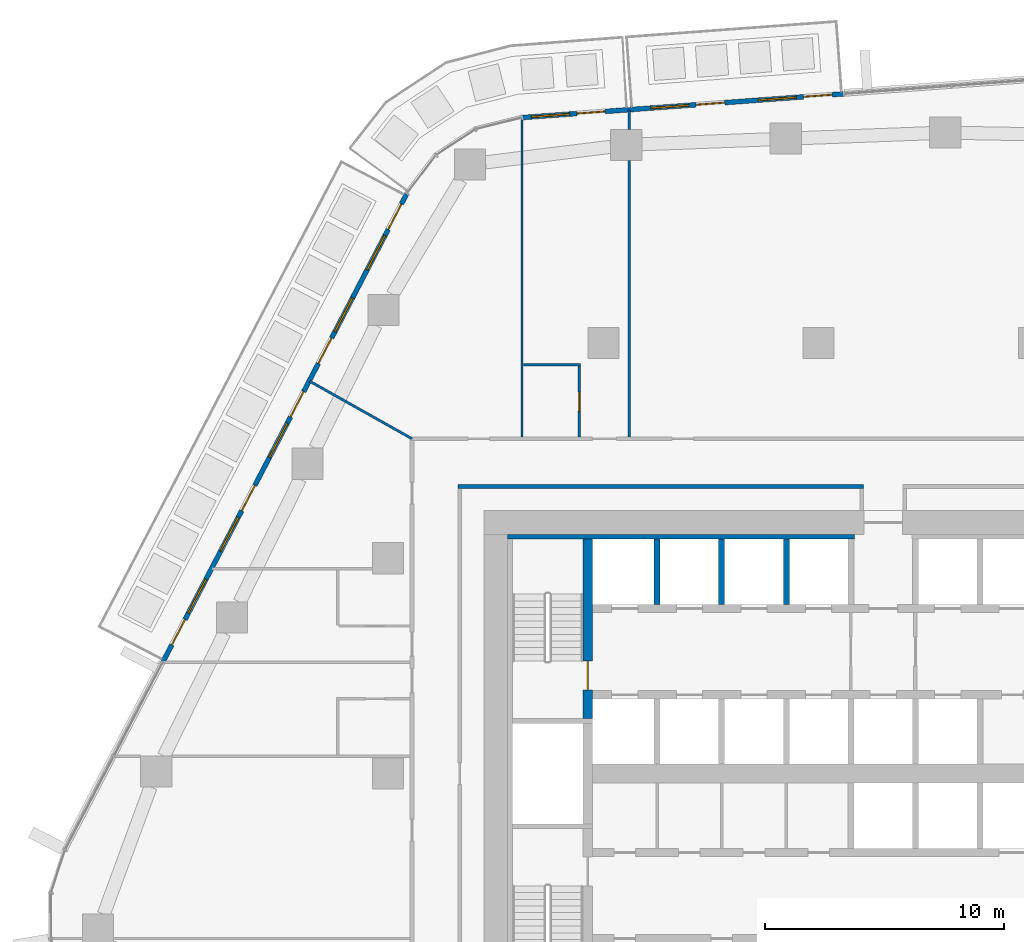
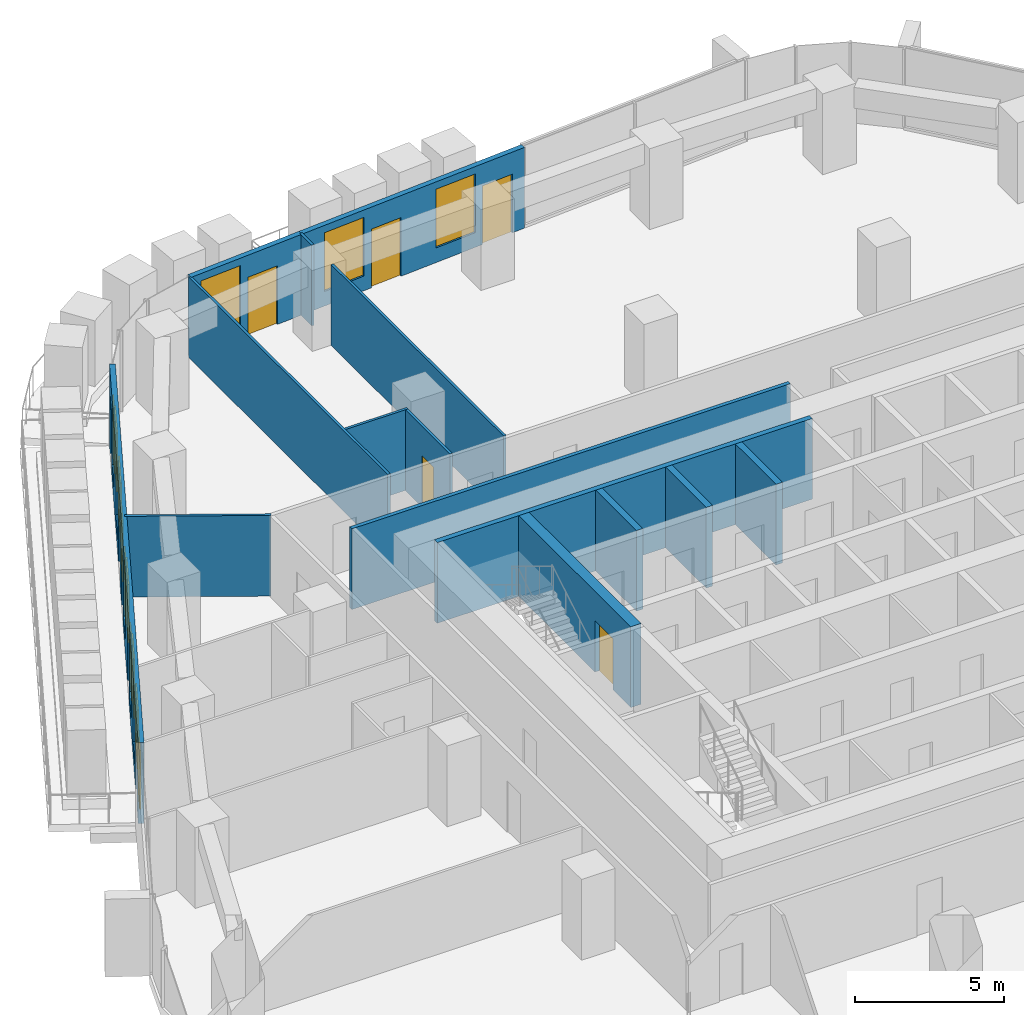
# One storey, part 15 of 23: 15 walls, 10 doors, 8 windows, 18 openings.
"""IFC4 building model written with IfcOpenShell, lengths in metres."""

import ifcopenshell
import ifcopenshell.guid

model = None  # the IFC model being written
_history = None  # IfcOwnerHistory: only IFC2X3 demands one
_inside = {}  # id of a spatial element -> (the spatial element, [elements in it])
_under = {}  # id of a project, library or spatial element -> (it, [spatial elements below it])
_declared = {}  # id of a project -> (the project, [libraries it declares])
_typed = {}  # id of a type object -> (the type object, [elements of that type])
_made_of = {}  # id of a material, layer set ... -> (it, [elements and type objects made of it])


def new_model(schema):
    """Start an empty IFC model of exactly this schema.

    Asked for "IFC4X3", IfcOpenShell would pick the latest addendum, in which some entities
    have other attributes; the version numbers below select the first issue.
    IFC2X3 requires an IfcOwnerHistory on every rooted entity: one is made here for all.
    """
    global model, _history
    if schema == "IFC4X3":
        model = ifcopenshell.file(schema_version=(4, 3, 0, 0))
    else:
        model = ifcopenshell.file(schema=schema)
    _inside.clear()
    _under.clear()
    _declared.clear()
    _typed.clear()
    _made_of.clear()
    _history = None
    if model.schema == "IFC2X3":
        org = make("IfcOrganization", Name="unknown")
        user = make(
            "IfcPersonAndOrganization",
            ThePerson=make("IfcPerson", FamilyName="unknown"),
            TheOrganization=org,
        )
        app = make(
            "IfcApplication",
            ApplicationDeveloper=org,
            Version="unknown",
            ApplicationFullName="unknown",
            ApplicationIdentifier="unknown",
        )
        _history = make(
            "IfcOwnerHistory",
            OwningUser=user,
            OwningApplication=app,
            ChangeAction="ADDED",
            CreationDate=0,
        )
    return model


def make(cls, **values):
    """One entity of the class cls with the attributes given. An attribute that is None is left unset."""
    return model.create_entity(
        cls, **{name: value for name, value in values.items() if value is not None}
    )


def rooted(cls, **values):
    """An entity with a GlobalId (a new one), such as an element, a storey or a relation."""
    return make(cls, GlobalId=ifcopenshell.guid.new(), OwnerHistory=_history, **values)


def si_unit(unit_type, name, prefix=None):
    """IfcSIUnit, for example si_unit("LENGTHUNIT", "METRE", prefix="MILLI")."""
    return make("IfcSIUnit", UnitType=unit_type, Prefix=prefix, Name=name)


def assignment(units):
    """IfcUnitAssignment: the units of a project."""
    return None if units is None else make("IfcUnitAssignment", Units=units)


def point(xyz):
    """IfcCartesianPoint."""
    return None if xyz is None else make("IfcCartesianPoint", Coordinates=xyz)


def direction(xyz):
    """IfcDirection."""
    return None if xyz is None else make("IfcDirection", DirectionRatios=xyz)


def frame(location, z_axis=None, x_axis=None):
    """IfcAxis2Placement3D, a coordinate frame: its origin and axes. An axis left out is left unset."""
    return make(
        "IfcAxis2Placement3D",
        Location=point(location),
        Axis=direction(z_axis),
        RefDirection=direction(x_axis),
    )


def frame_2d(location, x_axis=None):
    """IfcAxis2Placement2D, a coordinate frame in the plane: its origin and x axis."""
    return make(
        "IfcAxis2Placement2D", Location=point(location), RefDirection=direction(x_axis)
    )


def origin():
    """The frame at (0, 0, 0) with its axes left unset."""
    return frame((0.0, 0.0, 0.0))


def place(relative_to, where):
    """IfcLocalPlacement: puts the frame where relative to a parent placement (None: the world)."""
    return make(
        "IfcLocalPlacement", PlacementRelTo=relative_to, RelativePlacement=where
    )


def context(
    kind, dimensions, precision=None, world=None, true_north=None, identifier=None
):
    """IfcGeometricRepresentationContext, for example the 3D "Model" context."""
    return make(
        "IfcGeometricRepresentationContext",
        ContextIdentifier=identifier,
        ContextType=kind,
        CoordinateSpaceDimension=dimensions,
        Precision=precision,
        WorldCoordinateSystem=world,
        TrueNorth=true_north,
    )


def subcontext(parent, identifier, kind, view, scale=None):
    """IfcGeometricRepresentationSubContext, for example "Body" below "Model"."""
    return make(
        "IfcGeometricRepresentationSubContext",
        ContextIdentifier=identifier,
        ContextType=kind,
        ParentContext=parent,
        TargetScale=scale,
        TargetView=view,
    )


def project(units=None, contexts=None):
    """IfcProject with its units and contexts."""
    return rooted(
        "IfcProject",
        Name="project",
        RepresentationContexts=contexts,
        UnitsInContext=assignment(units),
    )


def spatial(cls, under=None, at=None, **own):
    """A site, building, storey or space (cls), placed at a placement, below another one or the project."""
    s = rooted(cls, ObjectPlacement=at, **own)
    if under is not None:
        _under.setdefault(under.id(), (under, []))[1].append(s)
    return s


def profile(cls, at=None, kind="AREA", **sizes):
    """A parametric profile (cls). Its sizes go by their IFC names, for example OverallWidth=200.0."""
    return make(cls, ProfileType=kind, Position=at, **sizes)


def rectangle(**sizes):
    """IfcRectangleProfileDef."""
    return profile("IfcRectangleProfileDef", **sizes)


def extrude(swept, where, along, depth):
    """IfcExtrudedAreaSolid: the profile swept, set in the frame where, extruded along a direction by depth."""
    return make(
        "IfcExtrudedAreaSolid",
        SweptArea=swept,
        Position=where,
        ExtrudedDirection=direction(along),
        Depth=depth,
    )


def shape(context_of_items, identifier, shape_type, items):
    """IfcShapeRepresentation: the items that make up one representation, for example the "Body"."""
    return make(
        "IfcShapeRepresentation",
        ContextOfItems=context_of_items,
        RepresentationIdentifier=identifier,
        RepresentationType=shape_type,
        Items=items,
    )


def material(Name=None, Category=None):
    """IfcMaterial."""
    return make("IfcMaterial", Name=Name, Category=Category)


def layer(
    of_material, thickness, ventilated=None, Name=None, Category=None, Priority=None
):
    """IfcMaterialLayer: one layer of a wall or slab, of a material (None: an air gap)."""
    return make(
        "IfcMaterialLayer",
        Material=of_material,
        LayerThickness=thickness,
        IsVentilated=ventilated,
        Name=Name,
        Category=Category,
        Priority=Priority,
    )


def layer_set(layers, Name=None):
    """IfcMaterialLayerSet."""
    return make("IfcMaterialLayerSet", MaterialLayers=layers, LayerSetName=Name)


def made_of(thing, what):
    """Note that an element or type object is made of a material, layer set ...; save() writes the relation."""
    if what is not None:
        _made_of.setdefault(what.id(), (what, []))[1].append(thing)
    return thing


def type_object(cls, material=None, **own):
    """A type object (cls), such as IfcWallType, which elements share."""
    return made_of(rooted(cls, **own), material)


def element(
    cls,
    number,
    at=None,
    inside=None,
    cuts=None,
    type_object=None,
    material=None,
    context=None,
    identifier="Body",
    shape_type=None,
    held_by="IfcProductDefinitionShape",
    body=None,
    shapes=None,
    **own,
):
    """One element of the class cls, such as IfcWall. Its Tag is "e" and its number.

    at: its placement. inside: the storey or other place that contains it. cuts: it is an
    opening in that element (IfcRelVoidsElement). A single representation is given by context,
    identifier, shape_type and body (its items); several are given by shapes. held_by: the class
    of the entity that holds the representations. save() writes the other relations.
    """
    e = rooted(cls, Tag="e%d" % number, ObjectPlacement=at, **own)
    if body is not None:
        shapes = [shape(context, identifier, shape_type, body)]
    if shapes is not None:
        e.Representation = make(held_by, Representations=shapes)
    if inside is not None:
        _inside.setdefault(inside.id(), (inside, []))[1].append(e)
    if cuts is not None:
        rooted(
            "IfcRelVoidsElement", RelatingBuildingElement=cuts, RelatedOpeningElement=e
        )
    if type_object is not None:
        _typed.setdefault(type_object.id(), (type_object, []))[1].append(e)
    return made_of(e, material)


def fill(opening, filler):
    """IfcRelFillsElement: the door or window that sits in an opening."""
    return rooted(
        "IfcRelFillsElement",
        RelatingOpeningElement=opening,
        RelatedBuildingElement=filler,
    )


def aggregate(whole, parts):
    """IfcRelAggregates: a whole, such as a stair, and the parts it consists of."""
    return rooted("IfcRelAggregates", RelatingObject=whole, RelatedObjects=parts)


def save(model, path):
    """Write the relations noted so far, then the file.

    IfcRelAggregates (storeys below a building ...), IfcRelContainedInSpatialStructure (elements
    in a storey), IfcRelDefinesByType, IfcRelAssociatesMaterial and IfcRelDeclares: one each for
    every whole, place, type object, material and project.
    """
    for whole, parts in _under.values():
        aggregate(whole, parts)
    for where, things in _inside.values():
        rooted(
            "IfcRelContainedInSpatialStructure",
            RelatedElements=things,
            RelatingStructure=where,
        )
    for kind, things in _typed.values():
        rooted("IfcRelDefinesByType", RelatedObjects=things, RelatingType=kind)
    for what, things in _made_of.values():
        rooted("IfcRelAssociatesMaterial", RelatedObjects=things, RelatingMaterial=what)
    for by, libraries in _declared.values():
        rooted("IfcRelDeclares", RelatingContext=by, RelatedDefinitions=libraries)
    model.write(path)


model = new_model("IFC4")

# Units and contexts
model_context = context("Model", 3, precision=1e-05, world=origin(), true_north=direction((0.0, 1.0)))
body_context = subcontext(model_context, "Body", "Model", "MODEL_VIEW")
ifc_project = project(units=[si_unit("LENGTHUNIT", "METRE"), si_unit("AREAUNIT", "SQUARE_METRE"), si_unit("VOLUMEUNIT", "CUBIC_METRE"), si_unit("PLANEANGLEUNIT", "RADIAN"), si_unit("MASSUNIT", "GRAM", prefix="KILO")], contexts=[model_context])

# Site, building, storey
site_placement = place(None, origin())
site = spatial("IfcSite", under=ifc_project, at=site_placement, CompositionType="ELEMENT")
building_placement = place(site_placement, origin())
building = spatial("IfcBuilding", under=site, at=building_placement, Name="Dongbaek Canopy Tower", CompositionType="ELEMENT")
storey_placement = place(building_placement, frame((0.0, 0.0, 132.199951171875)))
storey = spatial("IfcBuildingStorey", under=building, at=storey_placement, Name="L29", CompositionType="ELEMENT", Elevation=132.199951171875)

# Walls
ifc_material_1 = material(Name="Concrete C60/75", Category="concrete")
ifc_layer_1 = layer(ifc_material_1, 0.199951171875)
ifc_layer_set_1 = layer_set([ifc_layer_1], Name="Core wall lining 200 Concrete C60/75")
wall_type_1 = type_object("IfcWallType", Name="Core wall lining 200 Concrete C60/75", PredefinedType="SHEAR", material=ifc_layer_set_1)
wall_1_placement = place(storey_placement, frame((-13.0, 9.89990234375, 0.0), z_axis=(0.0, 0.0, 1.0), x_axis=(1.0, 0.0, 0.0)))
element("IfcWall", 1, at=wall_1_placement, inside=storey, type_object=wall_type_1, Name="Core wall lining", PredefinedType="SHEAR", context=body_context, shape_type="SweptSolid", body=[
    extrude(rectangle(XDim=14.5, YDim=0.199951171875, at=frame_2d((7.25, 0.0))), origin(), (0.0, 0.0, 1.0), 3.300048828125),
])
ifc_material_2 = material(Name="Gypsum board partition, steel stud, 2 x 15 mm fire board", Category="steel")
ifc_layer_2 = layer(ifc_material_2, 0.14990234375)
ifc_layer_set_2 = layer_set([ifc_layer_2], Name="Fire-rated partition 150 gypsum board")
wall_type_2 = type_object("IfcWallType", Name="Fire-rated partition 150 gypsum board", PredefinedType="PARTITIONING", material=ifc_layer_set_2)
wall_2_placement = place(storey_placement, frame((-15.074951171875, 12.0, 0.0), z_axis=(0.0, 0.0, 1.0), x_axis=(1.0, 0.0, 0.0)))
element("IfcWall", 2, at=wall_2_placement, inside=storey, type_object=wall_type_2, Name="Corridor partition", PredefinedType="PARTITIONING", context=body_context, shape_type="SweptSolid", body=[
    extrude(rectangle(XDim=16.949951171875, YDim=0.14990234375, at=frame_2d((8.47509765625, 0.0))), origin(), (0.0, 0.0, 1.0), 3.300048828125),
])
ifc_material_3 = material(Name="Concrete C40/50", Category="concrete")
ifc_layer_3 = layer(ifc_material_3, 0.25)
ifc_layer_set_3 = layer_set([ifc_layer_3], Name="Lift shaft wall 250 Concrete C40/50")
wall_type_3 = type_object("IfcWallType", Name="Lift shaft wall 250 Concrete C40/50", PredefinedType="SOLIDWALL", material=ifc_layer_set_3)
for number, where, z_axis, x_axis, name in (
    (3, (-1.35009765625, 7.074951171875, 0.0), (0.0, 0.0, 1.0), (0.0, 1.0, 0.0), "Lift shaft wall"),
    (4, (-4.050048828125, 7.074951171875, 0.0), (0.0, 0.0, 1.0), (0.0, 1.0, 0.0), "Lift shaft wall"),
    (5, (-6.75, 7.074951171875, 0.0), (0.0, 0.0, 1.0), (0.0, 1.0, 0.0), "Lift shaft wall"),
):
    element("IfcWall", number, at=place(storey_placement, frame(where, z_axis=z_axis, x_axis=x_axis)), inside=storey, type_object=wall_type_3, Name=name, PredefinedType="SOLIDWALL", context=body_context, shape_type="SweptSolid", body=[
        extrude(rectangle(XDim=2.72509765625, YDim=0.25, at=frame_2d((1.362548828125, 0.0))), origin(), (0.0, 0.0, 1.0), 3.300048828125),
    ])
ifc_material_4 = material(Name="Gypsum board partition, steel stud, 2 x 12.5 mm board", Category="steel")
ifc_layer_4 = layer(ifc_material_4, 0.10009765625)
ifc_layer_set_4 = layer_set([ifc_layer_4], Name="Partition 100 gypsum board")
wall_type_4 = type_object("IfcWallType", Name="Partition 100 gypsum board", PredefinedType="PARTITIONING", material=ifc_layer_set_4)
wall_3_placement = place(storey_placement, frame((-12.3486328125, 17.10009765625, 0.0), z_axis=(0.0, 0.0, 1.0), x_axis=(1.0, 0.0, 0.0)))
element("IfcWall", 6, at=wall_3_placement, inside=storey, type_object=wall_type_4, Name="Partition", PredefinedType="PARTITIONING", context=body_context, shape_type="SweptSolid", body=[
    extrude(rectangle(XDim=2.400146484375, YDim=0.10009765625, at=frame_2d((1.2001953125, 0.0))), origin(), (0.0, 0.0, 1.0), 3.300048828125),
])
wall_4_placement = place(storey_placement, frame((-7.916015625, 14.074951171875, 0.0), z_axis=(0.0, 0.0, 1.0), x_axis=(0.0, 1.0, 0.0)))
element("IfcWall", 7, at=wall_4_placement, inside=storey, type_object=wall_type_4, Name="Partition", PredefinedType="PARTITIONING", context=body_context, shape_type="SweptSolid", body=[
    extrude(rectangle(XDim=11.56298828125, YDim=0.10009765625, at=frame_2d((5.781494140625, 0.0))), origin(), (0.0, 0.0, 1.0), 3.300048828125),
])
wall_5_placement = place(storey_placement, frame((-7.916015625, 26.93798828125, 0.0), z_axis=(0.0, 0.0, 1.0), x_axis=(0.0, 1.0, 0.0)))
element("IfcWall", 8, at=wall_5_placement, inside=storey, type_object=wall_type_4, Name="Partition", PredefinedType="PARTITIONING", context=body_context, shape_type="SweptSolid", body=[
    extrude(rectangle(XDim=0.799072265625, YDim=0.10009765625, at=frame_2d((0.3994140625, 0.0))), origin(), (0.0, 0.0, 1.0), 3.300048828125),
])

# Wall, opening, door
wall_6_placement = place(storey_placement, frame((-9.9990234375, 14.074951171875, 0.0), z_axis=(0.0, 0.0, 1.0), x_axis=(0.0, 1.0, 0.0)))
wall_6 = element("IfcWall", 9, at=wall_6_placement, inside=storey, type_object=wall_type_4, Name="Partition", PredefinedType="PARTITIONING", context=body_context, shape_type="SweptSolid", body=[
    extrude(rectangle(XDim=2.97509765625, YDim=0.10009765625, at=frame_2d((1.487548828125, 0.0))), origin(), (0.0, 0.0, 1.0), 3.300048828125),
])
opening_1_placement = place(wall_6_placement, frame((1.074951171875, 0.0, 0.0)))
opening_1 = element("IfcOpeningElement", 10, at=opening_1_placement, cuts=wall_6, Name="Opening L29-D015", PredefinedType="OPENING", context=body_context, shape_type="SweptSolid", body=[
    extrude(rectangle(XDim=0.800048828125, YDim=2.10009765625, at=frame_2d((0.39990234375, 1.050048828125))), frame((0.0, 0.06005859375, 0.0), z_axis=(0.0, -1.0, 0.0), x_axis=(1.0, 0.0, 0.0)), (0.0, 0.0, 1.0), 0.1201171875),
])
ifc_material_5 = material(Name="Timber veneered door leaf", Category="wood")
door_type_1 = type_object("IfcDoorType", Name="En-suite door 800 x 2100", OperationType="SINGLE_SWING_LEFT", PredefinedType="DOOR", material=ifc_material_5)
door_1_placement = place(opening_1_placement, origin())
door_1 = element("IfcDoor", 11, at=door_1_placement, inside=storey, type_object=door_type_1, Name="Door L29-D015", OperationType="SINGLE_SWING_RIGHT", OverallHeight=2.10009765625, OverallWidth=0.800048828125, PredefinedType="DOOR", context=body_context, shape_type="SweptSolid", body=[
    extrude(rectangle(XDim=0.800048828125, YDim=2.10009765625, at=frame_2d((0.39990234375, 1.050048828125))), frame((0.0, 0.02490234375, 0.0), z_axis=(0.0, -1.0, 0.0), x_axis=(1.0, 0.0, 0.0)), (0.0, 0.0, 1.0), 0.050048828125),
])
fill(opening_1, door_1)

# Walls
wall_7_placement = place(storey_placement, frame((-12.39892578125, 14.074951171875, 0.0), z_axis=(0.0, 0.0, 1.0), x_axis=(0.0, 1.0, 0.0)))
element("IfcWall", 12, at=wall_7_placement, inside=storey, type_object=wall_type_4, Name="Partition", PredefinedType="PARTITIONING", context=body_context, shape_type="SweptSolid", body=[
    extrude(rectangle(XDim=13.3310546875, YDim=0.10009765625, at=frame_2d((6.66552734375, 0.0))), origin(), (0.0, 0.0, 1.0), 3.300048828125),
])
wall_8_placement = place(storey_placement, frame((-21.278564453125, 16.404541015625, 0.0), z_axis=(0.0, 0.0, 1.0), x_axis=(0.871729599924, -0.489987249443, 0.0)))
element("IfcWall", 13, at=wall_8_placement, inside=storey, type_object=wall_type_4, Name="Partition", PredefinedType="PARTITIONING", context=body_context, shape_type="SweptSolid", body=[
    extrude(rectangle(XDim=4.907958984375, YDim=0.10009765625, at=frame_2d((2.4541015625, 0.0))), origin(), (0.0, 0.0, 1.0), 3.300048828125),
])

# Wall, opening, door
ifc_material_6 = material(Name="Concrete C60/75", Category="concrete")
ifc_layer_5 = layer(ifc_material_6, 0.39990234375)
ifc_layer_set_5 = layer_set([ifc_layer_5], Name="Stair wall 400 Concrete C60/75")
wall_type_5 = type_object("IfcWallType", Name="Stair wall 400 Concrete C60/75", PredefinedType="SHEAR", material=ifc_layer_set_5)
wall_9_placement = place(storey_placement, frame((-9.64990234375, 2.300048828125, 0.0), z_axis=(0.0, 0.0, 1.0), x_axis=(0.0, 1.0, 0.0)))
wall_9 = element("IfcWall", 14, at=wall_9_placement, inside=storey, type_object=wall_type_5, Name="Stair wall", PredefinedType="SHEAR", context=body_context, shape_type="SweptSolid", body=[
    extrude(rectangle(XDim=7.5, YDim=0.39990234375, at=frame_2d((3.75, 0.0))), origin(), (0.0, 0.0, 1.0), 3.300048828125),
])
opening_2_placement = place(wall_9_placement, frame((1.199951171875, 0.0, 0.0)))
opening_2 = element("IfcOpeningElement", 15, at=opening_2_placement, cuts=wall_9, Name="Opening L29-D052", PredefinedType="OPENING", context=body_context, shape_type="SweptSolid", body=[
    extrude(rectangle(XDim=1.199951171875, YDim=2.10009765625, at=frame_2d((0.60009765625, 1.050048828125))), frame((0.0, 0.2099609375, 0.0), z_axis=(0.0, -1.0, 0.0), x_axis=(1.0, 0.0, 0.0)), (0.0, 0.0, 1.0), 0.419921875),
])
ifc_material_7 = material(Name="Steel", Category="steel")
door_type_2 = type_object("IfcDoorType", Name="Stair door 1200 x 2100", OperationType="SINGLE_SWING_LEFT", PredefinedType="DOOR", material=ifc_material_7)
door_2_placement = place(opening_2_placement, origin())
door_2 = element("IfcDoor", 16, at=door_2_placement, inside=storey, type_object=door_type_2, Name="Stair C door", OperationType="SINGLE_SWING_RIGHT", OverallHeight=2.10009765625, OverallWidth=1.199951171875, PredefinedType="DOOR", context=body_context, shape_type="SweptSolid", body=[
    extrude(rectangle(XDim=1.199951171875, YDim=2.10009765625, at=frame_2d((0.60009765625, 1.050048828125))), frame((0.0, 0.02490234375, 0.0), z_axis=(0.0, -1.0, 0.0), x_axis=(1.0, 0.0, 0.0)), (0.0, 0.0, 1.0), 0.050048828125),
])
fill(opening_2, door_2)

# Wall, openings, doors, windows
ifc_material_8 = material(Name="Aluminium window wall", Category="aluminium")
ifc_layer_6 = layer(ifc_material_8, 0.199951171875)
ifc_layer_set_6 = layer_set([ifc_layer_6], Name="Window wall 200")
wall_type_6 = type_object("IfcWallType", Name="Window wall 200", PredefinedType="SOLIDWALL", material=ifc_layer_set_6)
wall_10_placement = place(storey_placement, frame((1.064697265625, 28.419189453125, 0.0), z_axis=(0.0, 0.0, 1.0), x_axis=(-0.997293582655, -0.07352217349, 0.0)))
wall_10 = element("IfcWall", 17, at=wall_10_placement, inside=storey, type_object=wall_type_6, Name="Window wall L29 1", PredefinedType="SOLIDWALL", context=body_context, shape_type="SweptSolid", body=[
    extrude(rectangle(XDim=9.005615234375, YDim=0.199951171875, at=frame_2d((4.5029296875, 0.0))), origin(), (0.0, 0.0, 1.0), 3.300048828125),
])
opening_3_placement = place(wall_10_placement, frame((2.0, 0.0, 0.60009765625)))
opening_3 = element("IfcOpeningElement", 18, at=opening_3_placement, cuts=wall_10, Name="Opening W1", PredefinedType="OPENING", context=body_context, shape_type="SweptSolid", body=[
    extrude(rectangle(XDim=1.60009765625, YDim=2.39990234375, at=frame_2d((0.800048828125, 1.199951171875))), frame((0.0, 0.10986328125, 0.0), z_axis=(0.0, -1.0, 0.0), x_axis=(1.0, 0.0, 0.0)), (0.0, 0.0, 1.0), 0.219970703125),
])
opening_4_placement = place(wall_10_placement, frame((0.5, 0.0, 0.0)))
opening_4 = element("IfcOpeningElement", 19, at=opening_4_placement, cuts=wall_10, Name="Opening L29-B01", PredefinedType="OPENING", context=body_context, shape_type="SweptSolid", body=[
    extrude(rectangle(XDim=1.199951171875, YDim=2.39990234375, at=frame_2d((0.60009765625, 1.199951171875))), frame((0.0, 0.10986328125, 0.0), z_axis=(0.0, -1.0, 0.0), x_axis=(1.0, 0.0, 0.0)), (0.0, 0.0, 1.0), 0.219970703125),
])
opening_5_placement = place(wall_10_placement, frame((6.5029296875, 0.0, 0.60009765625)))
opening_5 = element("IfcOpeningElement", 20, at=opening_5_placement, cuts=wall_10, Name="Opening W1", PredefinedType="OPENING", context=body_context, shape_type="SweptSolid", body=[
    extrude(rectangle(XDim=1.60009765625, YDim=2.39990234375, at=frame_2d((0.800048828125, 1.199951171875))), frame((0.0, 0.10986328125, 0.0), z_axis=(0.0, -1.0, 0.0), x_axis=(1.0, 0.0, 0.0)), (0.0, 0.0, 1.0), 0.219970703125),
])
opening_6_placement = place(wall_10_placement, frame((5.0029296875, 0.0, 0.0)))
opening_6 = element("IfcOpeningElement", 21, at=opening_6_placement, cuts=wall_10, Name="Opening L29-B02", PredefinedType="OPENING", context=body_context, shape_type="SweptSolid", body=[
    extrude(rectangle(XDim=1.199951171875, YDim=2.39990234375, at=frame_2d((0.60009765625, 1.199951171875))), frame((0.0, 0.10986328125, 0.0), z_axis=(0.0, -1.0, 0.0), x_axis=(1.0, 0.0, 0.0)), (0.0, 0.0, 1.0), 0.219970703125),
])
ifc_material_9 = material(Name="Clear glazing in aluminium frame", Category="aluminium")
door_type_3 = type_object("IfcDoorType", Name="Balcony door BD1 1200 x 2400", OperationType="SLIDING_TO_LEFT", PredefinedType="DOOR", material=ifc_material_9)
door_3_placement = place(opening_4_placement, origin())
door_3 = element("IfcDoor", 22, at=door_3_placement, inside=storey, type_object=door_type_3, Name="Balcony door L29-B01", OperationType="SLIDING_TO_LEFT", OverallHeight=2.39990234375, OverallWidth=1.199951171875, PredefinedType="DOOR", context=body_context, shape_type="SweptSolid", body=[
    extrude(rectangle(XDim=1.199951171875, YDim=2.39990234375, at=frame_2d((0.60009765625, 1.199951171875))), frame((0.0, 0.02490234375, 0.0), z_axis=(0.0, -1.0, 0.0), x_axis=(1.0, 0.0, 0.0)), (0.0, 0.0, 1.0), 0.050048828125),
])
fill(opening_4, door_3)
door_4_placement = place(opening_6_placement, origin())
door_4 = element("IfcDoor", 23, at=door_4_placement, inside=storey, type_object=door_type_3, Name="Balcony door L29-B02", OperationType="SLIDING_TO_LEFT", OverallHeight=2.39990234375, OverallWidth=1.199951171875, PredefinedType="DOOR", context=body_context, shape_type="SweptSolid", body=[
    extrude(rectangle(XDim=1.199951171875, YDim=2.39990234375, at=frame_2d((0.60009765625, 1.199951171875))), frame((0.0, 0.02490234375, 0.0), z_axis=(0.0, -1.0, 0.0), x_axis=(1.0, 0.0, 0.0)), (0.0, 0.0, 1.0), 0.050048828125),
])
fill(opening_6, door_4)
ifc_material_10 = material(Name="Clear glazing in aluminium frame", Category="aluminium")
window_type = type_object("IfcWindowType", Name="Window W1 1600 x 2400", PartitioningType="SINGLE_PANEL", PredefinedType="WINDOW", material=ifc_material_10)
window_1_placement = place(opening_3_placement, origin())
window_1 = element("IfcWindow", 24, at=window_1_placement, inside=storey, type_object=window_type, Name="Window L29 1.1", OverallHeight=2.39990234375, OverallWidth=1.60009765625, PartitioningType="SINGLE_PANEL", PredefinedType="WINDOW", context=body_context, shape_type="SweptSolid", body=[
    extrude(rectangle(XDim=1.60009765625, YDim=2.39990234375, at=frame_2d((0.800048828125, 1.199951171875))), frame((0.0, 0.030029296875, 0.0), z_axis=(0.0, -1.0, 0.0), x_axis=(1.0, 0.0, 0.0)), (0.0, 0.0, 1.0), 0.06005859375),
])
fill(opening_3, window_1)
window_2_placement = place(opening_5_placement, origin())
window_2 = element("IfcWindow", 25, at=window_2_placement, inside=storey, type_object=window_type, Name="Window L29 1.2", OverallHeight=2.39990234375, OverallWidth=1.60009765625, PartitioningType="SINGLE_PANEL", PredefinedType="WINDOW", context=body_context, shape_type="SweptSolid", body=[
    extrude(rectangle(XDim=1.60009765625, YDim=2.39990234375, at=frame_2d((0.800048828125, 1.199951171875))), frame((0.0, 0.030029296875, 0.0), z_axis=(0.0, -1.0, 0.0), x_axis=(1.0, 0.0, 0.0)), (0.0, 0.0, 1.0), 0.06005859375),
])
fill(opening_5, window_2)

# Wall, openings, door, window
wall_11_placement = place(storey_placement, frame((-7.91650390625, 27.757080078125, 0.0), z_axis=(0.0, 0.0, 1.0), x_axis=(-0.997291417846, -0.073551532206, 0.0)))
wall_11 = element("IfcWall", 26, at=wall_11_placement, inside=storey, type_object=wall_type_6, Name="Window wall L29 6", PredefinedType="SOLIDWALL", context=body_context, shape_type="SweptSolid", body=[
    extrude(rectangle(XDim=4.494384765625, YDim=0.199951171875, at=frame_2d((2.2470703125, 0.0))), origin(), (0.0, 0.0, 1.0), 3.300048828125),
])
opening_7_placement = place(wall_11_placement, frame((2.5, 0.0, 0.60009765625)))
opening_7 = element("IfcOpeningElement", 27, at=opening_7_placement, cuts=wall_11, Name="Opening W1", PredefinedType="OPENING", context=body_context, shape_type="SweptSolid", body=[
    extrude(rectangle(XDim=1.60009765625, YDim=2.39990234375, at=frame_2d((0.800048828125, 1.199951171875))), frame((0.0, 0.10986328125, 0.0), z_axis=(0.0, -1.0, 0.0), x_axis=(1.0, 0.0, 0.0)), (0.0, 0.0, 1.0), 0.219970703125),
])
opening_8_placement = place(wall_11_placement, frame((1.0, 0.0, 0.0)))
opening_8 = element("IfcOpeningElement", 28, at=opening_8_placement, cuts=wall_11, Name="Opening L29-B03", PredefinedType="OPENING", context=body_context, shape_type="SweptSolid", body=[
    extrude(rectangle(XDim=1.199951171875, YDim=2.39990234375, at=frame_2d((0.60009765625, 1.199951171875))), frame((0.0, 0.10986328125, 0.0), z_axis=(0.0, -1.0, 0.0), x_axis=(1.0, 0.0, 0.0)), (0.0, 0.0, 1.0), 0.219970703125),
])
door_5_placement = place(opening_8_placement, origin())
door_5 = element("IfcDoor", 29, at=door_5_placement, inside=storey, type_object=door_type_3, Name="Balcony door L29-B03", OperationType="SLIDING_TO_LEFT", OverallHeight=2.39990234375, OverallWidth=1.199951171875, PredefinedType="DOOR", context=body_context, shape_type="SweptSolid", body=[
    extrude(rectangle(XDim=1.199951171875, YDim=2.39990234375, at=frame_2d((0.60009765625, 1.199951171875))), frame((0.0, 0.02490234375, 0.0), z_axis=(0.0, -1.0, 0.0), x_axis=(1.0, 0.0, 0.0)), (0.0, 0.0, 1.0), 0.050048828125),
])
fill(opening_8, door_5)
window_3_placement = place(opening_7_placement, origin())
window_3 = element("IfcWindow", 30, at=window_3_placement, inside=storey, type_object=window_type, Name="Window L29 6.1", OverallHeight=2.39990234375, OverallWidth=1.60009765625, PartitioningType="SINGLE_PANEL", PredefinedType="WINDOW", context=body_context, shape_type="SweptSolid", body=[
    extrude(rectangle(XDim=1.60009765625, YDim=2.39990234375, at=frame_2d((0.800048828125, 1.199951171875))), frame((0.0, 0.030029296875, 0.0), z_axis=(0.0, -1.0, 0.0), x_axis=(1.0, 0.0, 0.0)), (0.0, 0.0, 1.0), 0.06005859375),
])
fill(opening_7, window_3)

# Wall, openings, doors, windows
wall_12_placement = place(storey_placement, frame((-17.210205078125, 24.259765625, 0.0), z_axis=(0.0, 0.0, 1.0), x_axis=(-0.461902936619, -0.886930480445, 0.0)))
wall_12 = element("IfcWall", 31, at=wall_12_placement, inside=storey, type_object=wall_type_6, Name="Window wall L29 2", PredefinedType="SOLIDWALL", context=body_context, shape_type="SweptSolid", body=[
    extrude(rectangle(XDim=22.113037109375, YDim=0.199951171875, at=frame_2d((11.056640625, 0.0))), origin(), (0.0, 0.0, 1.0), 3.300048828125),
])
opening_9_placement = place(wall_12_placement, frame((2.0, 0.0, 0.60009765625)))
opening_9 = element("IfcOpeningElement", 32, at=opening_9_placement, cuts=wall_12, Name="Opening W1", PredefinedType="OPENING", context=body_context, shape_type="SweptSolid", body=[
    extrude(rectangle(XDim=1.60009765625, YDim=2.39990234375, at=frame_2d((0.800048828125, 1.199951171875))), frame((0.0, 0.10986328125, 0.0), z_axis=(0.0, -1.0, 0.0), x_axis=(1.0, 0.0, 0.0)), (0.0, 0.0, 1.0), 0.219970703125),
])
opening_10_placement = place(wall_12_placement, frame((0.5, 0.0, 0.0)))
opening_10 = element("IfcOpeningElement", 33, at=opening_10_placement, cuts=wall_12, Name="Opening L29-B04", PredefinedType="OPENING", context=body_context, shape_type="SweptSolid", body=[
    extrude(rectangle(XDim=1.199951171875, YDim=2.39990234375, at=frame_2d((0.60009765625, 1.199951171875))), frame((0.0, 0.10986328125, 0.0), z_axis=(0.0, -1.0, 0.0), x_axis=(1.0, 0.0, 0.0)), (0.0, 0.0, 1.0), 0.219970703125),
])
opening_11_placement = place(wall_12_placement, frame((4.922607421875, 0.0, 0.60009765625)))
opening_11 = element("IfcOpeningElement", 34, at=opening_11_placement, cuts=wall_12, Name="Opening W1", PredefinedType="OPENING", context=body_context, shape_type="SweptSolid", body=[
    extrude(rectangle(XDim=1.60009765625, YDim=2.39990234375, at=frame_2d((0.800048828125, 1.199951171875))), frame((0.0, 0.10986328125, 0.0), z_axis=(0.0, -1.0, 0.0), x_axis=(1.0, 0.0, 0.0)), (0.0, 0.0, 1.0), 0.219970703125),
])
opening_12_placement = place(wall_12_placement, frame((6.822509765625, 0.0, 0.0)))
opening_12 = element("IfcOpeningElement", 35, at=opening_12_placement, cuts=wall_12, Name="Opening L29-B05", PredefinedType="OPENING", context=body_context, shape_type="SweptSolid", body=[
    extrude(rectangle(XDim=1.199951171875, YDim=2.39990234375, at=frame_2d((0.60009765625, 1.199951171875))), frame((0.0, 0.10986328125, 0.0), z_axis=(0.0, -1.0, 0.0), x_axis=(1.0, 0.0, 0.0)), (0.0, 0.0, 1.0), 0.219970703125),
])
opening_13_placement = place(wall_12_placement, frame((10.84521484375, 0.0, 0.60009765625)))
opening_13 = element("IfcOpeningElement", 36, at=opening_13_placement, cuts=wall_12, Name="Opening W1", PredefinedType="OPENING", context=body_context, shape_type="SweptSolid", body=[
    extrude(rectangle(XDim=1.60009765625, YDim=2.39990234375, at=frame_2d((0.800048828125, 1.199951171875))), frame((0.0, 0.10986328125, 0.0), z_axis=(0.0, -1.0, 0.0), x_axis=(1.0, 0.0, 0.0)), (0.0, 0.0, 1.0), 0.219970703125),
])
opening_14_placement = place(wall_12_placement, frame((9.34521484375, 0.0, 0.0)))
opening_14 = element("IfcOpeningElement", 37, at=opening_14_placement, cuts=wall_12, Name="Opening L29-B06", PredefinedType="OPENING", context=body_context, shape_type="SweptSolid", body=[
    extrude(rectangle(XDim=1.199951171875, YDim=2.39990234375, at=frame_2d((0.60009765625, 1.199951171875))), frame((0.0, 0.10986328125, 0.0), z_axis=(0.0, -1.0, 0.0), x_axis=(1.0, 0.0, 0.0)), (0.0, 0.0, 1.0), 0.219970703125),
])
opening_15_placement = place(wall_12_placement, frame((15.267822265625, 0.0, 0.60009765625)))
opening_15 = element("IfcOpeningElement", 38, at=opening_15_placement, cuts=wall_12, Name="Opening W1", PredefinedType="OPENING", context=body_context, shape_type="SweptSolid", body=[
    extrude(rectangle(XDim=1.60009765625, YDim=2.39990234375, at=frame_2d((0.800048828125, 1.199951171875))), frame((0.0, 0.10986328125, 0.0), z_axis=(0.0, -1.0, 0.0), x_axis=(1.0, 0.0, 0.0)), (0.0, 0.0, 1.0), 0.219970703125),
])
opening_16_placement = place(wall_12_placement, frame((13.767822265625, 0.0, 0.0)))
opening_16 = element("IfcOpeningElement", 39, at=opening_16_placement, cuts=wall_12, Name="Opening L29-B07", PredefinedType="OPENING", context=body_context, shape_type="SweptSolid", body=[
    extrude(rectangle(XDim=1.199951171875, YDim=2.39990234375, at=frame_2d((0.60009765625, 1.199951171875))), frame((0.0, 0.10986328125, 0.0), z_axis=(0.0, -1.0, 0.0), x_axis=(1.0, 0.0, 0.0)), (0.0, 0.0, 1.0), 0.219970703125),
])
opening_17_placement = place(wall_12_placement, frame((18.1904296875, 0.0, 0.60009765625)))
opening_17 = element("IfcOpeningElement", 40, at=opening_17_placement, cuts=wall_12, Name="Opening W1", PredefinedType="OPENING", context=body_context, shape_type="SweptSolid", body=[
    extrude(rectangle(XDim=1.60009765625, YDim=2.39990234375, at=frame_2d((0.800048828125, 1.199951171875))), frame((0.0, 0.10986328125, 0.0), z_axis=(0.0, -1.0, 0.0), x_axis=(1.0, 0.0, 0.0)), (0.0, 0.0, 1.0), 0.219970703125),
])
opening_18_placement = place(wall_12_placement, frame((20.09033203125, 0.0, 0.0)))
opening_18 = element("IfcOpeningElement", 41, at=opening_18_placement, cuts=wall_12, Name="Opening L29-B08", PredefinedType="OPENING", context=body_context, shape_type="SweptSolid", body=[
    extrude(rectangle(XDim=1.199951171875, YDim=2.39990234375, at=frame_2d((0.60009765625, 1.199951171875))), frame((0.0, 0.10986328125, 0.0), z_axis=(0.0, -1.0, 0.0), x_axis=(1.0, 0.0, 0.0)), (0.0, 0.0, 1.0), 0.219970703125),
])
door_6_placement = place(opening_10_placement, origin())
door_6 = element("IfcDoor", 42, at=door_6_placement, inside=storey, type_object=door_type_3, Name="Balcony door L29-B04", OperationType="SLIDING_TO_LEFT", OverallHeight=2.39990234375, OverallWidth=1.199951171875, PredefinedType="DOOR", context=body_context, shape_type="SweptSolid", body=[
    extrude(rectangle(XDim=1.199951171875, YDim=2.39990234375, at=frame_2d((0.60009765625, 1.199951171875))), frame((0.0, 0.02490234375, 0.0), z_axis=(0.0, -1.0, 0.0), x_axis=(1.0, 0.0, 0.0)), (0.0, 0.0, 1.0), 0.050048828125),
])
fill(opening_10, door_6)
door_7_placement = place(opening_12_placement, origin())
door_7 = element("IfcDoor", 43, at=door_7_placement, inside=storey, type_object=door_type_3, Name="Balcony door L29-B05", OperationType="SLIDING_TO_LEFT", OverallHeight=2.39990234375, OverallWidth=1.199951171875, PredefinedType="DOOR", context=body_context, shape_type="SweptSolid", body=[
    extrude(rectangle(XDim=1.199951171875, YDim=2.39990234375, at=frame_2d((0.60009765625, 1.199951171875))), frame((0.0, 0.02490234375, 0.0), z_axis=(0.0, -1.0, 0.0), x_axis=(1.0, 0.0, 0.0)), (0.0, 0.0, 1.0), 0.050048828125),
])
fill(opening_12, door_7)
door_8_placement = place(opening_14_placement, origin())
door_8 = element("IfcDoor", 44, at=door_8_placement, inside=storey, type_object=door_type_3, Name="Balcony door L29-B06", OperationType="SLIDING_TO_LEFT", OverallHeight=2.39990234375, OverallWidth=1.199951171875, PredefinedType="DOOR", context=body_context, shape_type="SweptSolid", body=[
    extrude(rectangle(XDim=1.199951171875, YDim=2.39990234375, at=frame_2d((0.60009765625, 1.199951171875))), frame((0.0, 0.02490234375, 0.0), z_axis=(0.0, -1.0, 0.0), x_axis=(1.0, 0.0, 0.0)), (0.0, 0.0, 1.0), 0.050048828125),
])
fill(opening_14, door_8)
door_9_placement = place(opening_16_placement, origin())
door_9 = element("IfcDoor", 45, at=door_9_placement, inside=storey, type_object=door_type_3, Name="Balcony door L29-B07", OperationType="SLIDING_TO_LEFT", OverallHeight=2.39990234375, OverallWidth=1.199951171875, PredefinedType="DOOR", context=body_context, shape_type="SweptSolid", body=[
    extrude(rectangle(XDim=1.199951171875, YDim=2.39990234375, at=frame_2d((0.60009765625, 1.199951171875))), frame((0.0, 0.02490234375, 0.0), z_axis=(0.0, -1.0, 0.0), x_axis=(1.0, 0.0, 0.0)), (0.0, 0.0, 1.0), 0.050048828125),
])
fill(opening_16, door_9)
door_10_placement = place(opening_18_placement, origin())
door_10 = element("IfcDoor", 46, at=door_10_placement, inside=storey, type_object=door_type_3, Name="Balcony door L29-B08", OperationType="SLIDING_TO_LEFT", OverallHeight=2.39990234375, OverallWidth=1.199951171875, PredefinedType="DOOR", context=body_context, shape_type="SweptSolid", body=[
    extrude(rectangle(XDim=1.199951171875, YDim=2.39990234375, at=frame_2d((0.60009765625, 1.199951171875))), frame((0.0, 0.02490234375, 0.0), z_axis=(0.0, -1.0, 0.0), x_axis=(1.0, 0.0, 0.0)), (0.0, 0.0, 1.0), 0.050048828125),
])
fill(opening_18, door_10)
window_4_placement = place(opening_9_placement, origin())
window_4 = element("IfcWindow", 47, at=window_4_placement, inside=storey, type_object=window_type, Name="Window L29 2.1", OverallHeight=2.39990234375, OverallWidth=1.60009765625, PartitioningType="SINGLE_PANEL", PredefinedType="WINDOW", context=body_context, shape_type="SweptSolid", body=[
    extrude(rectangle(XDim=1.60009765625, YDim=2.39990234375, at=frame_2d((0.800048828125, 1.199951171875))), frame((0.0, 0.030029296875, 0.0), z_axis=(0.0, -1.0, 0.0), x_axis=(1.0, 0.0, 0.0)), (0.0, 0.0, 1.0), 0.06005859375),
])
fill(opening_9, window_4)
window_5_placement = place(opening_11_placement, origin())
window_5 = element("IfcWindow", 48, at=window_5_placement, inside=storey, type_object=window_type, Name="Window L29 2.2", OverallHeight=2.39990234375, OverallWidth=1.60009765625, PartitioningType="SINGLE_PANEL", PredefinedType="WINDOW", context=body_context, shape_type="SweptSolid", body=[
    extrude(rectangle(XDim=1.60009765625, YDim=2.39990234375, at=frame_2d((0.800048828125, 1.199951171875))), frame((0.0, 0.030029296875, 0.0), z_axis=(0.0, -1.0, 0.0), x_axis=(1.0, 0.0, 0.0)), (0.0, 0.0, 1.0), 0.06005859375),
])
fill(opening_11, window_5)
window_6_placement = place(opening_13_placement, origin())
window_6 = element("IfcWindow", 49, at=window_6_placement, inside=storey, type_object=window_type, Name="Window L29 2.3", OverallHeight=2.39990234375, OverallWidth=1.60009765625, PartitioningType="SINGLE_PANEL", PredefinedType="WINDOW", context=body_context, shape_type="SweptSolid", body=[
    extrude(rectangle(XDim=1.60009765625, YDim=2.39990234375, at=frame_2d((0.800048828125, 1.199951171875))), frame((0.0, 0.030029296875, 0.0), z_axis=(0.0, -1.0, 0.0), x_axis=(1.0, 0.0, 0.0)), (0.0, 0.0, 1.0), 0.06005859375),
])
fill(opening_13, window_6)
window_7_placement = place(opening_15_placement, origin())
window_7 = element("IfcWindow", 50, at=window_7_placement, inside=storey, type_object=window_type, Name="Window L29 2.4", OverallHeight=2.39990234375, OverallWidth=1.60009765625, PartitioningType="SINGLE_PANEL", PredefinedType="WINDOW", context=body_context, shape_type="SweptSolid", body=[
    extrude(rectangle(XDim=1.60009765625, YDim=2.39990234375, at=frame_2d((0.800048828125, 1.199951171875))), frame((0.0, 0.030029296875, 0.0), z_axis=(0.0, -1.0, 0.0), x_axis=(1.0, 0.0, 0.0)), (0.0, 0.0, 1.0), 0.06005859375),
])
fill(opening_15, window_7)
window_8_placement = place(opening_17_placement, origin())
window_8 = element("IfcWindow", 51, at=window_8_placement, inside=storey, type_object=window_type, Name="Window L29 2.5", OverallHeight=2.39990234375, OverallWidth=1.60009765625, PartitioningType="SINGLE_PANEL", PredefinedType="WINDOW", context=body_context, shape_type="SweptSolid", body=[
    extrude(rectangle(XDim=1.60009765625, YDim=2.39990234375, at=frame_2d((0.800048828125, 1.199951171875))), frame((0.0, 0.030029296875, 0.0), z_axis=(0.0, -1.0, 0.0), x_axis=(1.0, 0.0, 0.0)), (0.0, 0.0, 1.0), 0.06005859375),
])
fill(opening_17, window_8)

save(model, "model.ifc")
